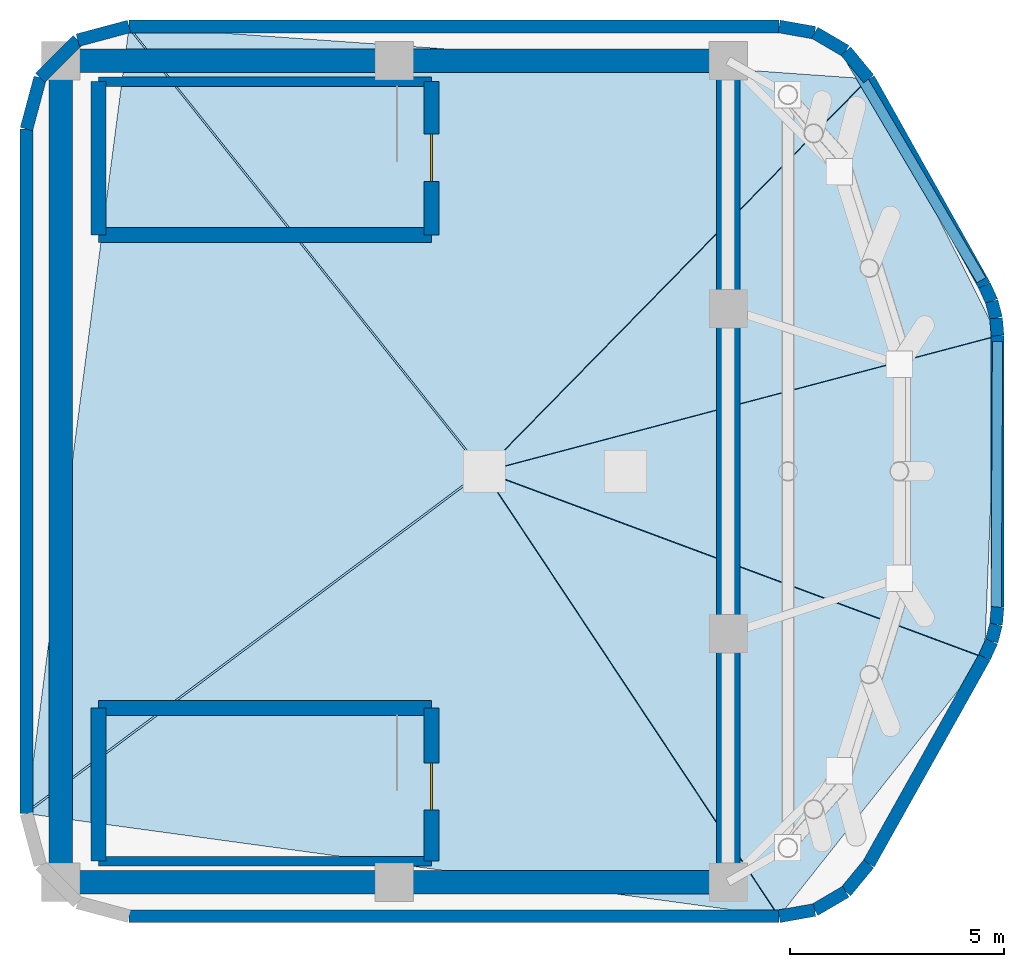
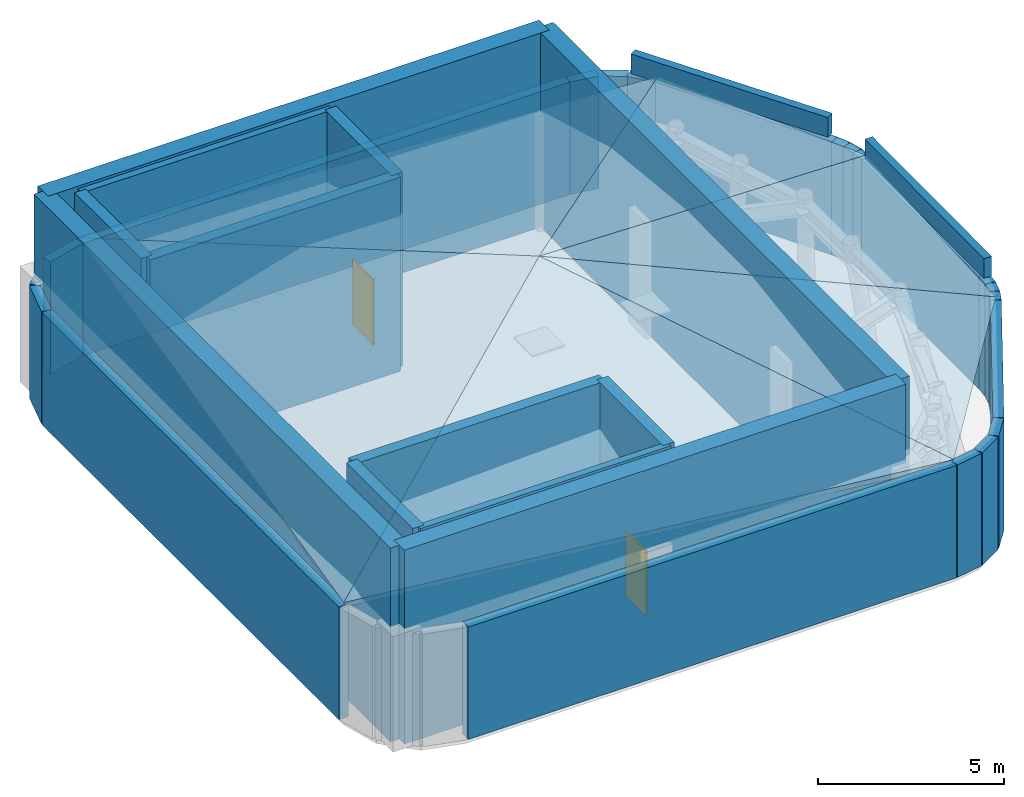
# One storey, part 2 of 3: 35 walls, 6 roofs, 2 doors, 2 openings.
"""IFC4 building model written with IfcOpenShell, lengths in metres."""

from ifc_helpers import new_model, si_unit, direction, frame, frame_2d, origin, place, context, subcontext, project, spatial, polyline, rectangle, outline, extrude, material, layer, layer_set, type_object, element, fill, save


model = new_model("IFC4")

# Units and contexts
model_context = context("Model", 3, precision=1e-05, world=origin(), true_north=direction((0.0, 1.0)))
body_context = subcontext(model_context, "Body", "Model", "MODEL_VIEW")
ifc_project = project(units=[si_unit("LENGTHUNIT", "METRE"), si_unit("AREAUNIT", "SQUARE_METRE"), si_unit("VOLUMEUNIT", "CUBIC_METRE"), si_unit("PLANEANGLEUNIT", "RADIAN"), si_unit("MASSUNIT", "GRAM", prefix="KILO")], contexts=[model_context])

# Site, building, storey
site_placement = place(None, origin())
site = spatial("IfcSite", under=ifc_project, at=site_placement, CompositionType="ELEMENT")
building_placement = place(site_placement, origin())
building = spatial("IfcBuilding", under=site, at=building_placement, Name="An Khanh Terracotta Commons", CompositionType="ELEMENT")
storey_placement = place(building_placement, frame((0.0, 0.0, 335.39990234375)))
storey = spatial("IfcBuildingStorey", under=building, at=storey_placement, Name="L83 Crown Glass-Point Apex", CompositionType="ELEMENT", Elevation=335.39990234375)

# Walls
ifc_material_1 = material(Name="Concrete C50/60", Category="concrete")
ifc_layer_1 = layer(ifc_material_1, 0.550048828125, Name="Concrete C50/60")
ifc_layer_set_1 = layer_set([ifc_layer_1], Name="Concrete C50/60")
wall_type_1 = type_object("IfcWallType", Name="WALL-CORE-550", PredefinedType="SHEAR", material=ifc_layer_set_1)
wall_1_placement = place(storey_placement, frame((21.60009765625, 14.39990234375, 0.0), z_axis=(0.0, 0.0, 1.0), x_axis=(0.0, 1.0, 0.0)))
element("IfcWall", 1, at=wall_1_placement, inside=storey, type_object=wall_type_1, Name="L83 Crown Glass-Point Apex Core Wall CWALL-L83 Crown Glass-Point Apex-W", PredefinedType="SHEAR", context=body_context, shape_type="SweptSolid", body=[
    extrude(rectangle(XDim=19.2001953125, YDim=0.550048828125, at=frame_2d((9.60009765625, 0.0))), origin(), (0.0, 0.0, 1.0), 6.380126953125),
])
for number, where, z_axis, x_axis, name in (
    (2, (21.60009765625, 33.60009765625, 0.0), (0.0, 0.0, 1.0), (1.0, 0.0, 0.0), "L83 Crown Glass-Point Apex Core Wall CWALL-L83 Crown Glass-Point Apex-N"),
    (3, (37.199951171875, 14.39990234375, 0.0), (0.0, 0.0, 1.0), (-1.0, 0.0, 0.0), "L83 Crown Glass-Point Apex Core Wall CWALL-L83 Crown Glass-Point Apex-S"),
):
    element("IfcWall", number, at=place(storey_placement, frame(where, z_axis=z_axis, x_axis=x_axis)), inside=storey, type_object=wall_type_1, Name=name, PredefinedType="SHEAR", context=body_context, shape_type="SweptSolid", body=[
        extrude(rectangle(XDim=15.599853515625, YDim=0.550048828125, at=frame_2d((7.7998046875, 0.0))), origin(), (0.0, 0.0, 1.0), 6.380126953125),
    ])
wall_2_placement = place(storey_placement, frame((37.199951171875, 14.39990234375, 0.0), z_axis=(0.0, 0.0, 1.0), x_axis=(0.0, 1.0, 0.0)))
element("IfcWall", 4, at=wall_2_placement, inside=storey, type_object=wall_type_1, Name="L83 Crown Glass-Point Apex Core Wall CWALL-L83 Crown Glass-Point Apex-E", PredefinedType="SHEAR", context=body_context, shape_type="SweptSolid", body=[
    extrude(rectangle(XDim=19.2001953125, YDim=0.550048828125, at=frame_2d((9.60009765625, 0.0))), origin(), (0.0, 0.0, 1.0), 6.380126953125),
])
ifc_material_2 = material(Name="Precast concrete C40/50", Category="concrete")
ifc_layer_2 = layer(ifc_material_2, 0.300048828125, Name="Precast concrete C40/50")
ifc_layer_set_2 = layer_set([ifc_layer_2], Name="Precast concrete C40/50")
wall_type_2 = type_object("IfcWallType", Name="WALL-EXT-300", PredefinedType="SOLIDWALL", material=ifc_layer_set_2)
wall_3_placement = place(storey_placement, frame((23.199951171875, 13.60009765625, 0.0), z_axis=(0.0, 0.0, 1.0), x_axis=(1.0, 0.0, 0.0)))
element("IfcWall", 5, at=wall_3_placement, inside=storey, type_object=wall_type_2, Name="L83 Crown Glass-Point Apex Crown Facet Corner Closure 4", PredefinedType="SOLIDWALL", context=body_context, shape_type="SweptSolid", body=[
    extrude(rectangle(XDim=15.194091796875, YDim=0.300048828125, at=frame_2d((7.59716796875, 0.0))), origin(), (0.0, 0.0, 1.0), 3.7001953125),
])
wall_4_placement = place(storey_placement, frame((38.39404296875, 13.60009765625, 0.0), z_axis=(0.0, 0.0, 1.0), x_axis=(0.984484789894, 0.175469936081, 0.0)))
element("IfcWall", 6, at=wall_4_placement, inside=storey, type_object=wall_type_2, Name="L83 Crown Glass-Point Apex Crown Facet Corner Closure 5", PredefinedType="SOLIDWALL", context=body_context, shape_type="SweptSolid", body=[
    extrude(rectangle(XDim=0.84326171875, YDim=0.300048828125, at=frame_2d((0.421630859375, 0.0))), origin(), (0.0, 0.0, 1.0), 3.7001953125),
])
wall_5_placement = place(storey_placement, frame((39.22412109375, 13.748046875, 0.0), z_axis=(0.0, 0.0, 1.0), x_axis=(0.862506384102, 0.506046181078, 0.0)))
element("IfcWall", 7, at=wall_5_placement, inside=storey, type_object=wall_type_2, Name="L83 Crown Glass-Point Apex Crown Facet Corner Closure 6", PredefinedType="SOLIDWALL", context=body_context, shape_type="SweptSolid", body=[
    extrude(rectangle(XDim=0.84375, YDim=0.300048828125, at=frame_2d((0.421875, 0.0))), origin(), (0.0, 0.0, 1.0), 3.7001953125),
])
wall_6_placement = place(storey_placement, frame((39.951904296875, 14.175048828125, 0.0), z_axis=(0.0, 0.0, 1.0), x_axis=(0.635788434656, 0.771863372857, 0.0)))
element("IfcWall", 8, at=wall_6_placement, inside=storey, type_object=wall_type_2, Name="L83 Crown Glass-Point Apex Crown Facet Corner Closure 7", PredefinedType="SOLIDWALL", context=body_context, shape_type="SweptSolid", body=[
    extrude(rectangle(XDim=0.84326171875, YDim=0.300048828125, at=frame_2d((0.421630859375, 0.0))), origin(), (0.0, 0.0, 1.0), 3.7001953125),
])
wall_7_placement = place(storey_placement, frame((40.488037109375, 14.825927734375, 0.0), z_axis=(0.0, 0.0, 1.0), x_axis=(0.488861302596, 0.872361523008, 0.0)))
element("IfcWall", 9, at=wall_7_placement, inside=storey, type_object=wall_type_2, Name="L83 Crown Glass-Point Apex Crown Facet Corner Closure 8", PredefinedType="SOLIDWALL", context=body_context, shape_type="SweptSolid", body=[
    extrude(rectangle(XDim=5.533447265625, YDim=0.300048828125, at=frame_2d((2.7666015625, 0.0))), origin(), (0.0, 0.0, 1.0), 3.7001953125),
])
wall_8_placement = place(storey_placement, frame((43.193115234375, 19.653076171875, 0.0), z_axis=(0.0, 0.0, 1.0), x_axis=(0.413667823759, 0.910427883792, 0.0)))
element("IfcWall", 10, at=wall_8_placement, inside=storey, type_object=wall_type_2, Name="L83 Crown Glass-Point Apex Crown Facet Corner Closure 9", PredefinedType="SOLIDWALL", context=body_context, shape_type="SweptSolid", body=[
    extrude(rectangle(XDim=0.408447265625, YDim=0.300048828125, at=frame_2d((0.2041015625, 0.0))), origin(), (0.0, 0.0, 1.0), 3.7001953125),
])
wall_9_placement = place(storey_placement, frame((43.362060546875, 20.02490234375, 0.0), z_axis=(0.0, 0.0, 1.0), x_axis=(0.252373206782, 0.967629972923, 0.0)))
element("IfcWall", 11, at=wall_9_placement, inside=storey, type_object=wall_type_2, Name="L83 Crown Glass-Point Apex Crown Facet Corner Closure 10", PredefinedType="SOLIDWALL", context=body_context, shape_type="SweptSolid", body=[
    extrude(rectangle(XDim=0.408203125, YDim=0.300048828125, at=frame_2d((0.2041015625, 0.0))), origin(), (0.0, 0.0, 1.0), 3.7001953125),
])
wall_10_placement = place(storey_placement, frame((43.465087890625, 20.419921875, 0.0), z_axis=(0.0, 0.0, 1.0), x_axis=(0.085468949816, 0.996340834563, 0.0)))
element("IfcWall", 12, at=wall_10_placement, inside=storey, type_object=wall_type_2, Name="L83 Crown Glass-Point Apex Crown Facet Corner Closure 11", PredefinedType="SOLIDWALL", context=body_context, shape_type="SweptSolid", body=[
    extrude(rectangle(XDim=0.408447265625, YDim=0.300048828125, at=frame_2d((0.2041015625, 0.0))), origin(), (0.0, 0.0, 1.0), 3.7001953125),
])
wall_11_placement = place(storey_placement, frame((43.5, 20.826904296875, 0.0), z_axis=(0.0, 0.0, 1.0), x_axis=(0.0, 1.0, 0.0)))
element("IfcWall", 13, at=wall_11_placement, inside=storey, type_object=wall_type_2, Name="L83 Crown Glass-Point Apex Crown Facet Corner Closure 12", PredefinedType="SOLIDWALL", context=body_context, shape_type="SweptSolid", body=[
    extrude(rectangle(XDim=6.34619140625, YDim=0.300048828125, at=frame_2d((3.173095703125, 0.0))), origin(), (0.0, 0.0, 1.0), 3.7001953125),
])
wall_12_placement = place(storey_placement, frame((43.5, 27.173095703125, 0.0), z_axis=(0.0, 0.0, 1.0), x_axis=(-0.085468949816, 0.996340834563, 0.0)))
element("IfcWall", 14, at=wall_12_placement, inside=storey, type_object=wall_type_2, Name="L83 Crown Glass-Point Apex Crown Facet Corner Closure 13", PredefinedType="SOLIDWALL", context=body_context, shape_type="SweptSolid", body=[
    extrude(rectangle(XDim=0.408447265625, YDim=0.300048828125, at=frame_2d((0.2041015625, 0.0))), origin(), (0.0, 0.0, 1.0), 3.7001953125),
])
wall_13_placement = place(storey_placement, frame((43.465087890625, 27.580078125, 0.0), z_axis=(0.0, 0.0, 1.0), x_axis=(-0.252373206782, 0.967629972923, 0.0)))
element("IfcWall", 15, at=wall_13_placement, inside=storey, type_object=wall_type_2, Name="L83 Crown Glass-Point Apex Crown Facet Corner Closure 14", PredefinedType="SOLIDWALL", context=body_context, shape_type="SweptSolid", body=[
    extrude(rectangle(XDim=0.408203125, YDim=0.300048828125, at=frame_2d((0.2041015625, 0.0))), origin(), (0.0, 0.0, 1.0), 3.7001953125),
])
wall_14_placement = place(storey_placement, frame((43.362060546875, 27.97509765625, 0.0), z_axis=(0.0, 0.0, 1.0), x_axis=(-0.413667823759, 0.910427883792, 0.0)))
element("IfcWall", 16, at=wall_14_placement, inside=storey, type_object=wall_type_2, Name="L83 Crown Glass-Point Apex Crown Facet Corner Closure 15", PredefinedType="SOLIDWALL", context=body_context, shape_type="SweptSolid", body=[
    extrude(rectangle(XDim=0.408447265625, YDim=0.300048828125, at=frame_2d((0.2041015625, 0.0))), origin(), (0.0, 0.0, 1.0), 3.7001953125),
])
wall_15_placement = place(storey_placement, frame((43.193115234375, 28.346923828125, 0.0), z_axis=(0.0, 0.0, 1.0), x_axis=(-0.488861302596, 0.872361523008, 0.0)))
element("IfcWall", 17, at=wall_15_placement, inside=storey, type_object=wall_type_2, Name="L83 Crown Glass-Point Apex Crown Facet Corner Closure 16", PredefinedType="SOLIDWALL", context=body_context, shape_type="SweptSolid", body=[
    extrude(rectangle(XDim=5.533447265625, YDim=0.300048828125, at=frame_2d((2.7666015625, 0.0))), origin(), (0.0, 0.0, 1.0), 3.7001953125),
])
wall_16_placement = place(storey_placement, frame((40.488037109375, 33.174072265625, 0.0), z_axis=(0.0, 0.0, 1.0), x_axis=(-0.635788434656, 0.771863372857, 0.0)))
element("IfcWall", 18, at=wall_16_placement, inside=storey, type_object=wall_type_2, Name="L83 Crown Glass-Point Apex Crown Facet Corner Closure 17", PredefinedType="SOLIDWALL", context=body_context, shape_type="SweptSolid", body=[
    extrude(rectangle(XDim=0.84326171875, YDim=0.300048828125, at=frame_2d((0.421630859375, 0.0))), origin(), (0.0, 0.0, 1.0), 3.7001953125),
])
wall_17_placement = place(storey_placement, frame((39.951904296875, 33.824951171875, 0.0), z_axis=(0.0, 0.0, 1.0), x_axis=(-0.862506384102, 0.506046181078, 0.0)))
element("IfcWall", 19, at=wall_17_placement, inside=storey, type_object=wall_type_2, Name="L83 Crown Glass-Point Apex Crown Facet Corner Closure 18", PredefinedType="SOLIDWALL", context=body_context, shape_type="SweptSolid", body=[
    extrude(rectangle(XDim=0.84375, YDim=0.300048828125, at=frame_2d((0.421875, 0.0))), origin(), (0.0, 0.0, 1.0), 3.7001953125),
])
wall_18_placement = place(storey_placement, frame((39.22412109375, 34.251953125, 0.0), z_axis=(0.0, 0.0, 1.0), x_axis=(-0.984484789894, 0.175469936081, 0.0)))
element("IfcWall", 20, at=wall_18_placement, inside=storey, type_object=wall_type_2, Name="L83 Crown Glass-Point Apex Crown Facet Corner Closure 19", PredefinedType="SOLIDWALL", context=body_context, shape_type="SweptSolid", body=[
    extrude(rectangle(XDim=0.84326171875, YDim=0.300048828125, at=frame_2d((0.421630859375, 0.0))), origin(), (0.0, 0.0, 1.0), 3.7001953125),
])
wall_19_placement = place(storey_placement, frame((38.39404296875, 34.39990234375, 0.0), z_axis=(0.0, 0.0, 1.0), x_axis=(-1.0, 0.0, 0.0)))
element("IfcWall", 21, at=wall_19_placement, inside=storey, type_object=wall_type_2, Name="L83 Crown Glass-Point Apex Crown Facet Corner Closure 20", PredefinedType="SOLIDWALL", context=body_context, shape_type="SweptSolid", body=[
    extrude(rectangle(XDim=15.194091796875, YDim=0.300048828125, at=frame_2d((7.59716796875, 0.0))), origin(), (0.0, 0.0, 1.0), 3.7001953125),
])
wall_20_placement = place(storey_placement, frame((23.199951171875, 34.39990234375, 0.0), z_axis=(0.0, 0.0, 1.0), x_axis=(-0.965826041702, -0.259191159513, 0.0)))
element("IfcWall", 22, at=wall_20_placement, inside=storey, type_object=wall_type_2, Name="L83 Crown Glass-Point Apex Crown Facet Corner Closure 21", PredefinedType="SOLIDWALL", context=body_context, shape_type="SweptSolid", body=[
    extrude(rectangle(XDim=1.242431640625, YDim=0.300048828125, at=frame_2d((0.62109375, 0.0))), origin(), (0.0, 0.0, 1.0), 3.7001953125),
])
wall_21_placement = place(storey_placement, frame((22.0, 34.077880859375, 0.0), z_axis=(0.0, 0.0, 1.0), x_axis=(-0.707106781187, -0.707106781187, 0.0)))
element("IfcWall", 23, at=wall_21_placement, inside=storey, type_object=wall_type_2, Name="L83 Crown Glass-Point Apex Crown Facet Corner Closure 22", PredefinedType="SOLIDWALL", context=body_context, shape_type="SweptSolid", body=[
    extrude(rectangle(XDim=1.24169921875, YDim=0.300048828125, at=frame_2d((0.620849609375, 0.0))), origin(), (0.0, 0.0, 1.0), 3.7001953125),
])
wall_22_placement = place(storey_placement, frame((21.1220703125, 33.199951171875, 0.0), z_axis=(0.0, 0.0, 1.0), x_axis=(-0.259191159513, -0.965826041702, 0.0)))
element("IfcWall", 24, at=wall_22_placement, inside=storey, type_object=wall_type_2, Name="L83 Crown Glass-Point Apex Crown Facet Corner Closure 23", PredefinedType="SOLIDWALL", context=body_context, shape_type="SweptSolid", body=[
    extrude(rectangle(XDim=1.242431640625, YDim=0.300048828125, at=frame_2d((0.62109375, 0.0))), origin(), (0.0, 0.0, 1.0), 3.7001953125),
])
wall_23_placement = place(storey_placement, frame((20.800048828125, 32.0, 0.0), z_axis=(0.0, 0.0, 1.0), x_axis=(0.0, -1.0, 0.0)))
element("IfcWall", 25, at=wall_23_placement, inside=storey, type_object=wall_type_2, Name="L83 Crown Glass-Point Apex Crown Facet Corner Closure 24", PredefinedType="SOLIDWALL", context=body_context, shape_type="SweptSolid", body=[
    extrude(rectangle(XDim=16.0, YDim=0.300048828125, at=frame_2d((8.0, 0.0))), origin(), (0.0, 0.0, 1.0), 3.7001953125),
])
ifc_layer_3 = layer(ifc_material_2, 0.239990234375, Name="Precast concrete C40/50")
ifc_layer_set_3 = layer_set([ifc_layer_3], Name="Precast concrete C40/50")
wall_type_3 = type_object("IfcWallType", Name="WALL-PARA-240", PredefinedType="PARAPET", material=ifc_layer_set_3)
wall_24_placement = place(storey_placement, frame((43.466064453125, 20.56005859375, 3.800048828125), z_axis=(0.0, 0.0, 1.0), x_axis=(0.005091775732, 0.999987036826, 0.0)))
element("IfcWall", 26, at=wall_24_placement, inside=storey, type_object=wall_type_3, Name="L83 Crown Eave Upstand Parapet 3", PredefinedType="PARAPET", context=body_context, shape_type="SweptSolid", body=[
    extrude(rectangle(XDim=6.472900390625, YDim=0.239990234375, at=frame_2d((3.236328125, 0.0))), origin(), (0.0, 0.0, 1.0), 0.650146484375),
])
wall_25_placement = place(storey_placement, frame((43.1220703125, 28.467041015625, 3.800048828125), z_axis=(0.0, 0.0, 1.0), x_axis=(-0.509206301135, 0.860644492741, 0.0)))
element("IfcWall", 27, at=wall_25_placement, inside=storey, type_object=wall_type_3, Name="L83 Crown Eave Upstand Parapet 4", PredefinedType="PARAPET", context=body_context, shape_type="SweptSolid", body=[
    extrude(rectangle(XDim=6.086181640625, YDim=0.239990234375, at=frame_2d((3.04296875, 0.0))), origin(), (0.0, 0.0, 1.0), 0.650146484375),
])
ifc_material_3 = material(Name="Acoustic Double-Stud Gypsum and Mineral Wool")
ifc_layer_4 = layer(ifc_material_3, 0.219970703125, Name="Acoustic Double-Stud Gypsum and Mineral Wool")
ifc_layer_set_4 = layer_set([ifc_layer_4], Name="Acoustic Double-Stud Gypsum and Mineral Wool")
wall_type_4 = type_object("IfcWallType", Name="WALL-PARTY-220", PredefinedType="PARTITIONING", material=ifc_layer_set_4)
for number, where, z_axis, x_axis, name in (
    (28, (22.47998046875, 33.110107421875, 0.0), (0.0, 0.0, 1.0), (1.0, 0.0, 0.0), "L83 Crown Glass-Point Apex Core Wall STW-L83 Crown Glass-Point Apex-N-N"),
    (29, (22.47998046875, 14.889892578125, 0.0), (0.0, 0.0, 1.0), (1.0, 0.0, 0.0), "L83 Crown Glass-Point Apex Core Wall STW-L83 Crown Glass-Point Apex-S-S"),
):
    element("IfcWall", number, at=place(storey_placement, frame(where, z_axis=z_axis, x_axis=x_axis)), inside=storey, type_object=wall_type_4, Name=name, PredefinedType="PARTITIONING", context=body_context, shape_type="SweptSolid", body=[
        extrude(rectangle(XDim=7.7900390625, YDim=0.219970703125, at=frame_2d((3.89501953125, 0.0))), origin(), (0.0, 0.0, 1.0), 6.380126953125),
    ])
ifc_layer_5 = layer(ifc_material_1, 0.35009765625, Name="Concrete C50/60")
ifc_layer_set_5 = layer_set([ifc_layer_5], Name="Concrete C50/60")
wall_type_5 = type_object("IfcWallType", Name="WALL-SHAFT-350", PredefinedType="SOLIDWALL", material=ifc_layer_set_5)
wall_26_placement = place(storey_placement, frame((22.47998046875, 29.530029296875, 0.0), z_axis=(0.0, 0.0, 1.0), x_axis=(1.0, 0.0, 0.0)))
element("IfcWall", 30, at=wall_26_placement, inside=storey, type_object=wall_type_5, Name="L83 Crown Glass-Point Apex Core Wall STW-L83 Crown Glass-Point Apex-N-S", PredefinedType="SOLIDWALL", context=body_context, shape_type="SweptSolid", body=[
    extrude(rectangle(XDim=7.7900390625, YDim=0.35009765625, at=frame_2d((3.89501953125, 0.0))), origin(), (0.0, 0.0, 1.0), 6.380126953125),
])
wall_27_placement = place(storey_placement, frame((22.47998046875, 29.530029296875, 0.0), z_axis=(0.0, 0.0, 1.0), x_axis=(0.0, 1.0, 0.0)))
element("IfcWall", 31, at=wall_27_placement, inside=storey, type_object=wall_type_5, Name="L83 Crown Glass-Point Apex Core Wall STW-L83 Crown Glass-Point Apex-N-W", PredefinedType="SOLIDWALL", context=body_context, shape_type="SweptSolid", body=[
    extrude(rectangle(XDim=3.580078125, YDim=0.35009765625, at=frame_2d((1.7900390625, 0.0))), origin(), (0.0, 0.0, 1.0), 6.380126953125),
])

# Wall, opening, door
wall_28_placement = place(storey_placement, frame((30.27001953125, 29.530029296875, 0.0), z_axis=(0.0, 0.0, 1.0), x_axis=(0.0, 1.0, 0.0)))
wall_28 = element("IfcWall", 32, at=wall_28_placement, inside=storey, type_object=wall_type_5, Name="L83 Crown Glass-Point Apex Core Wall STW-L83 Crown Glass-Point Apex-N-E", PredefinedType="SOLIDWALL", context=body_context, shape_type="SweptSolid", body=[
    extrude(rectangle(XDim=3.580078125, YDim=0.35009765625, at=frame_2d((1.7900390625, 0.0))), origin(), (0.0, 0.0, 1.0), 6.380126953125),
])
opening_1_placement = place(wall_28_placement, frame((1.25, 0.0, 0.0)))
opening_1 = element("IfcOpeningElement", 33, at=opening_1_placement, cuts=wall_28, Name="Opening D-ST", PredefinedType="OPENING", context=body_context, shape_type="SweptSolid", body=[
    extrude(rectangle(XDim=1.10009765625, YDim=2.14990234375, at=frame_2d((0.550048828125, 1.074951171875))), frame((0.0, 0.18505859375, 0.0), z_axis=(0.0, -1.0, 0.0), x_axis=(1.0, 0.0, 0.0)), (0.0, 0.0, 1.0), 0.3701171875),
])
ifc_material_4 = material(Name="Fire-Rated Steel Leaf and Frame", Category="steel")
door_type = type_object("IfcDoorType", Name="DOOR-STAIR-1100", OperationType="NOTDEFINED", PredefinedType="DOOR", material=ifc_material_4)
door_1_placement = place(opening_1_placement, origin())
door_1 = element("IfcDoor", 34, at=door_1_placement, inside=storey, type_object=door_type, Name="L83 Crown Glass-Point Apex Stair ST-01 Fire Door", OperationType="SINGLE_SWING_RIGHT", OverallHeight=2.14990234375, OverallWidth=1.10009765625, PredefinedType="DOOR", context=body_context, shape_type="SweptSolid", body=[
    extrude(rectangle(XDim=1.10009765625, YDim=2.14990234375, at=frame_2d((0.550048828125, 1.074951171875))), frame((0.0, 0.02490234375, 0.0), z_axis=(0.0, -1.0, 0.0), x_axis=(1.0, 0.0, 0.0)), (0.0, 0.0, 1.0), 0.050048828125),
])
fill(opening_1, door_1)

# Walls
wall_29_placement = place(storey_placement, frame((22.47998046875, 18.469970703125, 0.0), z_axis=(0.0, 0.0, 1.0), x_axis=(1.0, 0.0, 0.0)))
element("IfcWall", 35, at=wall_29_placement, inside=storey, type_object=wall_type_5, Name="L83 Crown Glass-Point Apex Core Wall STW-L83 Crown Glass-Point Apex-S-N", PredefinedType="SOLIDWALL", context=body_context, shape_type="SweptSolid", body=[
    extrude(rectangle(XDim=7.7900390625, YDim=0.35009765625, at=frame_2d((3.89501953125, 0.0))), origin(), (0.0, 0.0, 1.0), 6.380126953125),
])
wall_30_placement = place(storey_placement, frame((22.47998046875, 14.889892578125, 0.0), z_axis=(0.0, 0.0, 1.0), x_axis=(0.0, 1.0, 0.0)))
element("IfcWall", 36, at=wall_30_placement, inside=storey, type_object=wall_type_5, Name="L83 Crown Glass-Point Apex Core Wall STW-L83 Crown Glass-Point Apex-S-W", PredefinedType="SOLIDWALL", context=body_context, shape_type="SweptSolid", body=[
    extrude(rectangle(XDim=3.580078125, YDim=0.35009765625, at=frame_2d((1.7900390625, 0.0))), origin(), (0.0, 0.0, 1.0), 6.380126953125),
])

# Wall, opening, door
wall_31_placement = place(storey_placement, frame((30.27001953125, 14.889892578125, 0.0), z_axis=(0.0, 0.0, 1.0), x_axis=(0.0, 1.0, 0.0)))
wall_31 = element("IfcWall", 37, at=wall_31_placement, inside=storey, type_object=wall_type_5, Name="L83 Crown Glass-Point Apex Core Wall STW-L83 Crown Glass-Point Apex-S-E", PredefinedType="SOLIDWALL", context=body_context, shape_type="SweptSolid", body=[
    extrude(rectangle(XDim=3.580078125, YDim=0.35009765625, at=frame_2d((1.7900390625, 0.0))), origin(), (0.0, 0.0, 1.0), 6.380126953125),
])
opening_2_placement = place(wall_31_placement, frame((1.18994140625, 0.0, 0.0)))
opening_2 = element("IfcOpeningElement", 38, at=opening_2_placement, cuts=wall_31, Name="Opening D-ST", PredefinedType="OPENING", context=body_context, shape_type="SweptSolid", body=[
    extrude(rectangle(XDim=1.10009765625, YDim=2.14990234375, at=frame_2d((0.550048828125, 1.074951171875))), frame((0.0, 0.18505859375, 0.0), z_axis=(0.0, -1.0, 0.0), x_axis=(1.0, 0.0, 0.0)), (0.0, 0.0, 1.0), 0.3701171875),
])
door_2_placement = place(opening_2_placement, origin())
door_2 = element("IfcDoor", 39, at=door_2_placement, inside=storey, type_object=door_type, Name="L83 Crown Glass-Point Apex Stair ST-02 Fire Door", OperationType="SINGLE_SWING_LEFT", OverallHeight=2.14990234375, OverallWidth=1.10009765625, PredefinedType="DOOR", context=body_context, shape_type="SweptSolid", body=[
    extrude(rectangle(XDim=1.10009765625, YDim=2.14990234375, at=frame_2d((0.550048828125, 1.074951171875))), frame((0.0, 0.02490234375, 0.0), z_axis=(0.0, -1.0, 0.0), x_axis=(1.0, 0.0, 0.0)), (0.0, 0.0, 1.0), 0.050048828125),
])
fill(opening_2, door_2)

# Roofs
ifc_layer_6 = layer(ifc_material_2, 0.219970703125, Name="Precast concrete C40/50")
ifc_layer_set_6 = layer_set([ifc_layer_6], Name="Precast concrete C40/50")
roof_type = type_object("IfcRoofType", Name="ROOF-CROWN-GLASSPOINT", PredefinedType="HIP_ROOF", material=ifc_layer_set_6)
roof_1_placement = place(storey_placement, frame((20.800048828125, 16.0, 3.800048828125), z_axis=(-0.038686735854, -0.283617458732, 0.958156810533), x_axis=(0.99082472898, -0.135153085213, 0.0)))
element("IfcRoof", 40, at=roof_1_placement, inside=storey, type_object=roof_type, Name="Crown Glass-Point Sloped Roof Facet 1", PredefinedType="HIP_ROOF", context=body_context, shape_type="SweptSolid", body=[
    extrude(outline(polyline([(0.0, 0.0), (17.75691868202036, 0.0), (9.520551538264266, 9.78204104099177), (0.0, 0.0)])), origin(), (0.0, 0.0, -1.0), 0.219970703125),
])
roof_2_placement = place(storey_placement, frame((38.39404296875, 13.60009765625, 3.800048828125), z_axis=(0.180003367009, -0.142714725337, 0.973258082441), x_axis=(0.621270264969, 0.78359636157, 0.0)))
element("IfcRoof", 41, at=roof_2_placement, inside=storey, type_object=roof_type, Name="Crown Glass-Point Sloped Roof Facet 2", PredefinedType="HIP_ROOF", context=body_context, shape_type="SweptSolid", body=[
    extrude(outline(polyline([(0.0, 0.0), (7.724612839573832, 0.0), (3.866261735340169, 12.189261292147147), (0.0, 0.0)])), origin(), (0.0, 0.0, -1.0), 0.219970703125),
])
roof_3_placement = place(storey_placement, frame((43.193115234375, 19.653076171875, 3.800048828125), z_axis=(0.229572118053, -0.009368617375, 0.973246562604), x_axis=(0.04077509953, 0.999168349808, 0.0)))
element("IfcRoof", 42, at=roof_3_placement, inside=storey, type_object=roof_type, Name="Crown Glass-Point Sloped Roof Facet 3", PredefinedType="HIP_ROOF", context=body_context, shape_type="SweptSolid", body=[
    extrude(outline(polyline([(0.0, 0.0), (7.526278762426634, 0.0), (3.866520770597408, 12.186672278448972), (0.0, 0.0)])), origin(), (0.0, 0.0, -1.0), 0.219970703125),
])
roof_4_placement = place(storey_placement, frame((43.5, 27.173095703125, 3.800048828125), z_axis=(0.200734761947, 0.100751210665, 0.974450998714), x_axis=(-0.448580230125, 0.8937425676, 0.0)))
element("IfcRoof", 43, at=roof_4_placement, inside=storey, type_object=roof_type, Name="Crown Glass-Point Sloped Roof Facet 4", PredefinedType="HIP_ROOF", context=body_context, shape_type="SweptSolid", body=[
    extrude(outline(polyline([(0.0, 0.0), (6.714435207683252, 0.0), (2.5470320605533474, 12.466813444645261), (0.0, 0.0)])), origin(), (0.0, 0.0, -1.0), 0.219970703125),
])
roof_5_placement = place(storey_placement, frame((40.488037109375, 33.174072265625, 3.800048828125), z_axis=(0.019455135254, 0.274379015651, 0.961424803863), x_axis=(-0.997495604755, 0.070728484317, 0.0)))
element("IfcRoof", 44, at=roof_5_placement, inside=storey, type_object=roof_type, Name="Crown Glass-Point Sloped Roof Facet 5", PredefinedType="HIP_ROOF", context=body_context, shape_type="SweptSolid", body=[
    extrude(outline(polyline([(0.0, 0.0), (17.33149084074481, 2.220446049250313e-16), (8.316659285614248, 10.17948253995764), (0.0, 0.0)])), origin(), (0.0, 0.0, -1.0), 0.219970703125),
])
roof_6_placement = place(storey_placement, frame((23.199951171875, 34.39990234375, 3.800048828125), z_axis=(-0.278309802221, 0.036299994107, 0.95980517003), x_axis=(-0.129334684227, -0.991600998112, 0.0)))
element("IfcRoof", 45, at=roof_6_placement, inside=storey, type_object=roof_type, Name="Crown Glass-Point Sloped Roof Facet 6", PredefinedType="HIP_ROOF", context=body_context, shape_type="SweptSolid", body=[
    extrude(outline(polyline([(0.0, 0.0), (18.555752141022836, 0.0), (9.23906935007325, 9.976404677699136), (0.0, 0.0)])), origin(), (0.0, 0.0, -1.0), 0.219970703125),
])

save(model, "model.ifc")
